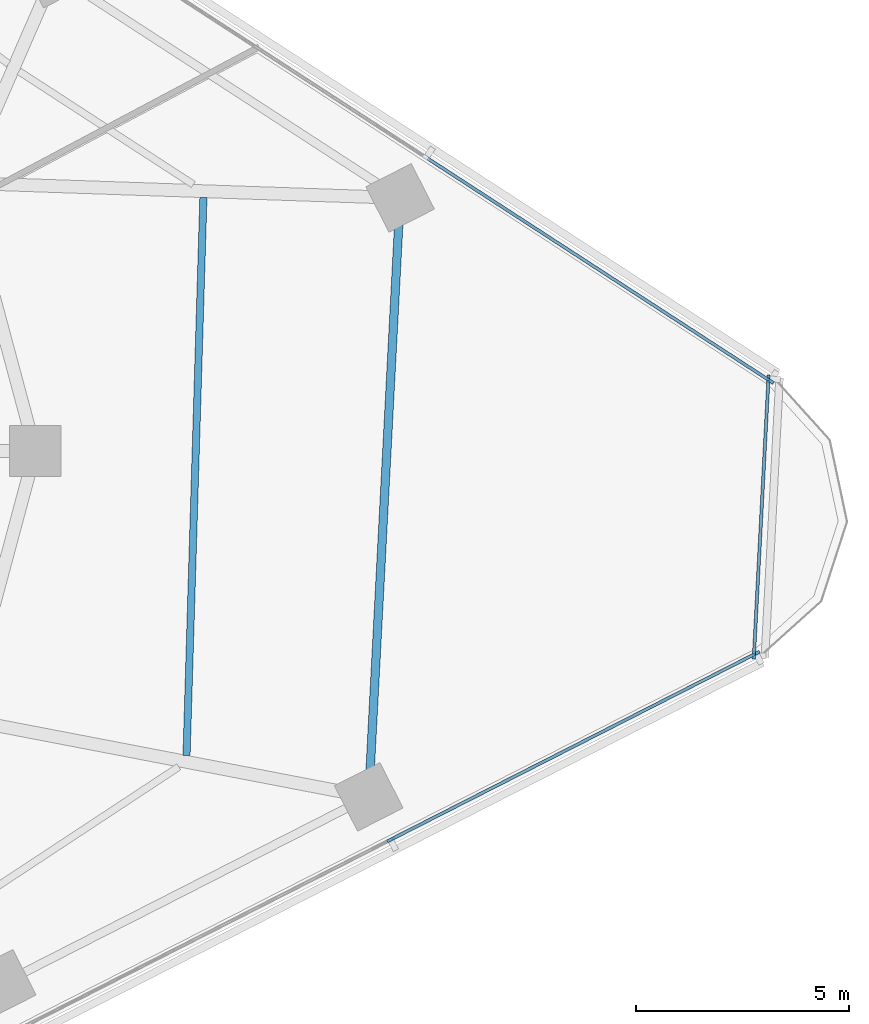
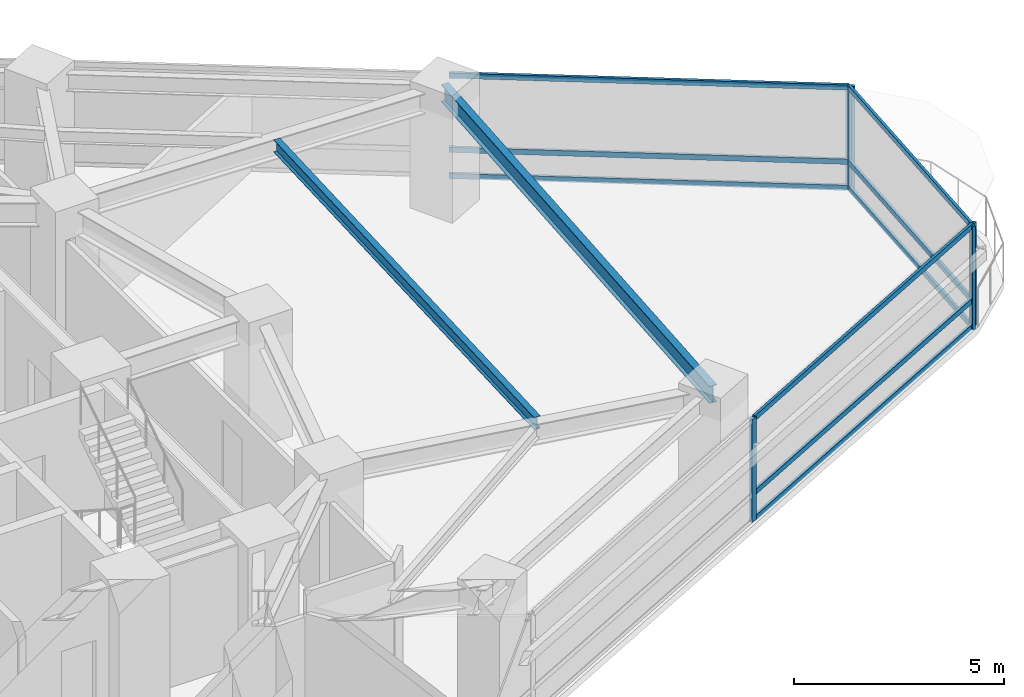
# One storey, part 4 of 14: 14 members, 2 beams, 3 elements without a shape of their own.
"""IFC4 building model written with IfcOpenShell, lengths in metres."""

from ifc_helpers import new_model, si_unit, direction, frame, origin, origin_2d, place, context, subcontext, project, spatial, rectangle, i_section, extrude, material, layer, layer_set, material_profile, profile_set, type_object, element, aggregate, save


model = new_model("IFC4")

# Units and contexts
model_context = context("Model", 3, precision=1e-05, world=origin(), true_north=direction((0.0, 1.0)))
body_context = subcontext(model_context, "Body", "Model", "MODEL_VIEW")
ifc_project = project(units=[si_unit("LENGTHUNIT", "METRE"), si_unit("AREAUNIT", "SQUARE_METRE"), si_unit("VOLUMEUNIT", "CUBIC_METRE"), si_unit("PLANEANGLEUNIT", "RADIAN"), si_unit("MASSUNIT", "GRAM", prefix="KILO")], contexts=[model_context])

# Site, building, storey
site_placement = place(None, origin())
site = spatial("IfcSite", under=ifc_project, at=site_placement, CompositionType="ELEMENT")
building_placement = place(site_placement, origin())
building = spatial("IfcBuilding", under=site, at=building_placement, Name="Terralouvre Media Tower", CompositionType="ELEMENT")
storey_placement = place(building_placement, frame((0.0, 0.0, 134.699951171875)))
storey = spatial("IfcBuildingStorey", under=building, at=storey_placement, Name="L34", CompositionType="ELEMENT", Elevation=134.699951171875)

# Beam
ifc_material_1 = material(Name="Structural steel S355J2", Category="steel")
ifc_material_profile_1 = material_profile(ifc_material_1, i_section(OverallWidth=0.169921875, OverallDepth=0.360107421875, WebThickness=0.008056640625, FlangeThickness=0.0126953125, at=origin_2d()), Name="IPE 360")
ifc_profile_set_1 = profile_set([ifc_material_profile_1], Name="Structural steel S355J2")
beam_type_1 = type_object("IfcBeamType", Name="Composite Floor Joist J-IPE360 (IPE 360)", PredefinedType="JOIST", material=ifc_profile_set_1)
beam_1_placement = place(storey_placement, frame((16.156005859375, -7.156005859375, 3.320068359375), z_axis=(0.030223204966, 0.999543174596, 0.0), x_axis=(-0.999543174596, 0.030223204966, 0.0)))
element("IfcBeam", 1, at=beam_1_placement, inside=storey, type_object=beam_type_1, Name="L34 Framing Beam JT-L34-06", PredefinedType="JOIST", context=body_context, shape_type="SweptSolid", body=[
    extrude(i_section(OverallWidth=0.169921875, OverallDepth=0.360107421875, WebThickness=0.008056640625, FlangeThickness=0.0126953125, at=origin_2d()), origin(), (0.0, 0.0, 1.0), 13.11865234375),
])

# Curtain wall, members
ifc_material_2 = material(Name="Low-iron laminated double glazing with solar-control coating", Category="glass")
ifc_layer_1 = layer(ifc_material_2, 0.1650390625, Name="Production Studio Tower Curtain Wall CW-03")
ifc_layer_set_1 = layer_set([ifc_layer_1], Name="Low-iron laminated double glazing with solar-control coating")
curtain_wall_type_1 = type_object("IfcCurtainWallType", Name="Production Studio Tower Curtain Wall CW-03", PredefinedType="NOTDEFINED", material=ifc_layer_set_1)
curtain_wall_1_placement = place(storey_placement, origin())
curtain_wall_1 = element("IfcCurtainWall", 2, at=curtain_wall_1_placement, inside=storey, type_object=curtain_wall_type_1, Name="L34 Facade Curtain Wall F0", PredefinedType="NOTDEFINED")
ifc_material_3 = material(Name="Anodised extruded aluminium 6063-T6", Category="aluminium")
ifc_material_profile_2 = material_profile(ifc_material_3, rectangle(XDim=0.074951171875, YDim=0.14990234375, at=origin_2d()), Name="ALU 75x150")
ifc_profile_set_2 = profile_set([ifc_material_profile_2], Name="Anodised extruded aluminium 6063-T6")
member_type_1 = type_object("IfcMemberType", Name="Curtain-Wall Horizontal Transom TR-150", PredefinedType="USERDEFINED", material=ifc_profile_set_2)
member_1_placement = place(storey_placement, frame((20.984619140625, -9.118896484375, 0.03759765625), z_axis=(0.891007557644, 0.453988471462, 0.0), x_axis=(-0.453988471462, 0.891007557644, 0.0)))
member_1 = element("IfcMember", 3, at=member_1_placement, type_object=member_type_1, Name="CW-03 transom 5.1", ObjectType="TRANSOM", PredefinedType="USERDEFINED", context=body_context, shape_type="SweptSolid", body=[
    extrude(rectangle(XDim=0.074951171875, YDim=0.14990234375, at=origin_2d()), origin(), (0.0, 0.0, 1.0), 9.5673828125),
])
member_2_placement = place(storey_placement, frame((20.984619140625, -9.118896484375, 0.800048828125), z_axis=(0.891007557644, 0.453988471462, 0.0), x_axis=(-0.453988471462, 0.891007557644, 0.0)))
member_2 = element("IfcMember", 4, at=member_2_placement, type_object=member_type_1, Name="CW-03 transom 5.2", ObjectType="TRANSOM", PredefinedType="USERDEFINED", context=body_context, shape_type="SweptSolid", body=[
    extrude(rectangle(XDim=0.074951171875, YDim=0.14990234375, at=origin_2d()), origin(), (0.0, 0.0, 1.0), 9.5673828125),
])
member_3_placement = place(storey_placement, frame((20.984619140625, -9.118896484375, 2.962646484375), z_axis=(0.891007557644, 0.453988471462, 0.0), x_axis=(-0.453988471462, 0.891007557644, 0.0)))
member_3 = element("IfcMember", 5, at=member_3_placement, type_object=member_type_1, Name="CW-03 transom 5.3", ObjectType="TRANSOM", PredefinedType="USERDEFINED", context=body_context, shape_type="SweptSolid", body=[
    extrude(rectangle(XDim=0.074951171875, YDim=0.14990234375, at=origin_2d()), origin(), (0.0, 0.0, 1.0), 9.5673828125),
])

curtain_wall_2_placement = place(storey_placement, origin())
curtain_wall_2 = element("IfcCurtainWall", 6, at=curtain_wall_2_placement, inside=storey, type_object=curtain_wall_type_1, Name="L34 Facade Curtain Wall F1", PredefinedType="NOTDEFINED")
member_4_placement = place(storey_placement, frame((29.846923828125, 1.664794921875, 0.03759765625), z_axis=(-0.838683148474, 0.544619662211, 0.0), x_axis=(-0.544619662211, -0.838683148474, 0.0)))
member_4 = element("IfcMember", 7, at=member_4_placement, type_object=member_type_1, Name="CW-03 transom 1.1", ObjectType="TRANSOM", PredefinedType="USERDEFINED", context=body_context, shape_type="SweptSolid", body=[
    extrude(rectangle(XDim=0.074951171875, YDim=0.14990234375, at=origin_2d()), origin(), (0.0, 0.0, 1.0), 9.567626953125),
])
member_5_placement = place(storey_placement, frame((29.846923828125, 1.664794921875, 0.800048828125), z_axis=(-0.838683148474, 0.544619662211, 0.0), x_axis=(-0.544619662211, -0.838683148474, 0.0)))
member_5 = element("IfcMember", 8, at=member_5_placement, type_object=member_type_1, Name="CW-03 transom 1.2", ObjectType="TRANSOM", PredefinedType="USERDEFINED", context=body_context, shape_type="SweptSolid", body=[
    extrude(rectangle(XDim=0.074951171875, YDim=0.14990234375, at=origin_2d()), origin(), (0.0, 0.0, 1.0), 9.567626953125),
])
member_6_placement = place(storey_placement, frame((29.846923828125, 1.664794921875, 2.962646484375), z_axis=(-0.838683148474, 0.544619662211, 0.0), x_axis=(-0.544619662211, -0.838683148474, 0.0)))
member_6 = element("IfcMember", 9, at=member_6_placement, type_object=member_type_1, Name="CW-03 transom 1.3", ObjectType="TRANSOM", PredefinedType="USERDEFINED", context=body_context, shape_type="SweptSolid", body=[
    extrude(rectangle(XDim=0.074951171875, YDim=0.14990234375, at=origin_2d()), origin(), (0.0, 0.0, 1.0), 9.567626953125),
])

ifc_material_4 = material(Name="Low-iron laminated double glazing with solar-control coating", Category="glass")
ifc_layer_2 = layer(ifc_material_4, 0.1650390625, Name="Rounded Wind-Corner Curved Glazing CW-04")
ifc_layer_set_2 = layer_set([ifc_layer_2], Name="Low-iron laminated double glazing with solar-control coating")
curtain_wall_type_2 = type_object("IfcCurtainWallType", Name="Rounded Wind-Corner Curved Glazing CW-04", PredefinedType="NOTDEFINED", material=ifc_layer_set_2)
curtain_wall_3_placement = place(storey_placement, origin())
curtain_wall_3 = element("IfcCurtainWall", 10, at=curtain_wall_3_placement, inside=storey, type_object=curtain_wall_type_2, Name="L34 Rounded Wind-Corner Curtain Wall C1", PredefinedType="NOTDEFINED")
member_7_placement = place(storey_placement, frame((29.49462890625, -4.76611328125, 0.03759765625), z_axis=(0.052343668365, 0.998629130549, 0.0), x_axis=(-0.998629130549, 0.052343668365, 0.0)))
member_7 = element("IfcMember", 11, at=member_7_placement, type_object=member_type_1, Name="CW-04 transom 1.1", ObjectType="TRANSOM", PredefinedType="USERDEFINED", context=body_context, shape_type="SweptSolid", body=[
    extrude(rectangle(XDim=0.074951171875, YDim=0.14990234375, at=origin_2d()), origin(), (0.0, 0.0, 1.0), 6.431884765625),
])
member_8_placement = place(storey_placement, frame((29.49462890625, -4.76611328125, 0.800048828125), z_axis=(0.052343668365, 0.998629130549, 0.0), x_axis=(-0.998629130549, 0.052343668365, 0.0)))
member_8 = element("IfcMember", 12, at=member_8_placement, type_object=member_type_1, Name="CW-04 transom 1.2", ObjectType="TRANSOM", PredefinedType="USERDEFINED", context=body_context, shape_type="SweptSolid", body=[
    extrude(rectangle(XDim=0.074951171875, YDim=0.14990234375, at=origin_2d()), origin(), (0.0, 0.0, 1.0), 6.431884765625),
])
member_9_placement = place(storey_placement, frame((29.49462890625, -4.76611328125, 2.962646484375), z_axis=(0.052343668365, 0.998629130549, 0.0), x_axis=(-0.998629130549, 0.052343668365, 0.0)))
member_9 = element("IfcMember", 13, at=member_9_placement, type_object=member_type_1, Name="CW-04 transom 1.3", ObjectType="TRANSOM", PredefinedType="USERDEFINED", context=body_context, shape_type="SweptSolid", body=[
    extrude(rectangle(XDim=0.074951171875, YDim=0.14990234375, at=origin_2d()), origin(), (0.0, 0.0, 1.0), 6.431884765625),
])

# Member
ifc_material_5 = material(Name="Anodised extruded aluminium 6063-T6", Category="aluminium")
ifc_material_profile_3 = material_profile(ifc_material_5, rectangle(XDim=0.074951171875, YDim=0.179931640625, at=origin_2d()), Name="ALU 75x180")
ifc_profile_set_3 = profile_set([ifc_material_profile_3], Name="Anodised extruded aluminium 6063-T6")
member_type_2 = type_object("IfcMemberType", Name="Curtain-Wall Vertical Mullion ML-180", PredefinedType="MULLION", material=ifc_profile_set_3)
member_10_placement = place(storey_placement, frame((20.951171875, -9.135986328125, 0.0), z_axis=(0.0, 0.0, 1.0), x_axis=(-0.4539905449, 0.891006501178, 0.0)))
member_10 = element("IfcMember", 14, at=member_10_placement, type_object=member_type_2, Name="CW-03 mullion 5", PredefinedType="MULLION", context=body_context, shape_type="SweptSolid", body=[
    extrude(rectangle(XDim=0.074951171875, YDim=0.179931640625, at=origin_2d()), origin(), (0.0, 0.0, 1.0), 3.0),
])

member_11_placement = place(storey_placement, frame((29.542724609375, -4.75830078125, 0.0), z_axis=(0.0, 0.0, 1.0), x_axis=(-0.4539905449, 0.891006501178, 0.0)))
member_11 = element("IfcMember", 15, at=member_11_placement, type_object=member_type_2, Name="CW-03 mullion 6", PredefinedType="MULLION", context=body_context, shape_type="SweptSolid", body=[
    extrude(rectangle(XDim=0.074951171875, YDim=0.179931640625, at=origin_2d()), origin(), (0.0, 0.0, 1.0), 3.0),
])

aggregate(curtain_wall_1, [member_10, member_11, member_1, member_2, member_3])

member_12_placement = place(storey_placement, frame((29.878173828125, 1.644287109375, 0.0), z_axis=(0.0, 0.0, 1.0), x_axis=(-0.544639002681, -0.838670588944, 0.0)))
member_12 = element("IfcMember", 16, at=member_12_placement, type_object=member_type_2, Name="CW-03 mullion 1", PredefinedType="MULLION", context=body_context, shape_type="SweptSolid", body=[
    extrude(rectangle(XDim=0.074951171875, YDim=0.179931640625, at=origin_2d()), origin(), (0.0, 0.0, 1.0), 3.0),
])

aggregate(curtain_wall_2, [member_12, member_4, member_5, member_6])

member_13_placement = place(storey_placement, frame((29.49267578125, -4.803466796875, 0.0), z_axis=(0.0, 0.0, 1.0), x_axis=(-0.998629489329, 0.052336823006, 0.0)))
member_13 = element("IfcMember", 17, at=member_13_placement, type_object=member_type_2, Name="CW-04 mullion 1", PredefinedType="MULLION", context=body_context, shape_type="SweptSolid", body=[
    extrude(rectangle(XDim=0.074951171875, YDim=0.179931640625, at=origin_2d()), origin(), (0.0, 0.0, 1.0), 3.0),
])

member_14_placement = place(storey_placement, frame((29.833251953125, 1.6943359375, 0.0), z_axis=(0.0, 0.0, 1.0), x_axis=(-0.998629489329, 0.052336823006, 0.0)))
member_14 = element("IfcMember", 18, at=member_14_placement, type_object=member_type_2, Name="CW-04 mullion 2", PredefinedType="MULLION", context=body_context, shape_type="SweptSolid", body=[
    extrude(rectangle(XDim=0.074951171875, YDim=0.179931640625, at=origin_2d()), origin(), (0.0, 0.0, 1.0), 3.0),
])

aggregate(curtain_wall_3, [member_13, member_14, member_7, member_8, member_9])

# Beam
ifc_material_6 = material(Name="Structural steel S355J2", Category="steel")
ifc_material_profile_4 = material_profile(ifc_material_6, i_section(OverallWidth=0.199951171875, OverallDepth=0.5, WebThickness=0.01025390625, FlangeThickness=0.01611328125, at=origin_2d()), Name="IPE 500")
ifc_profile_set_4 = profile_set([ifc_material_profile_4], Name="Structural steel S355J2")
beam_type_2 = type_object("IfcBeamType", Name="Perimeter Spandrel Beam SPB-500 (IPE 500)", PredefinedType="SPANDREL", material=ifc_profile_set_4)
beam_2_placement = place(storey_placement, frame((20.438232421875, -8.129150390625, 3.25), z_axis=(0.052337943139, 0.998629430624, 0.0), x_axis=(-0.998629430624, 0.052337943139, 0.0)))
element("IfcBeam", 19, at=beam_2_placement, inside=storey, type_object=beam_type_2, Name="L34 Framing Beam BM-L34-PR06", PredefinedType="SPANDREL", context=body_context, shape_type="SweptSolid", body=[
    extrude(i_section(OverallWidth=0.199951171875, OverallDepth=0.5, WebThickness=0.01025390625, FlangeThickness=0.01611328125, at=origin_2d()), origin(), (0.0, 0.0, 1.0), 14.0966796875),
])

save(model, "model.ifc")
